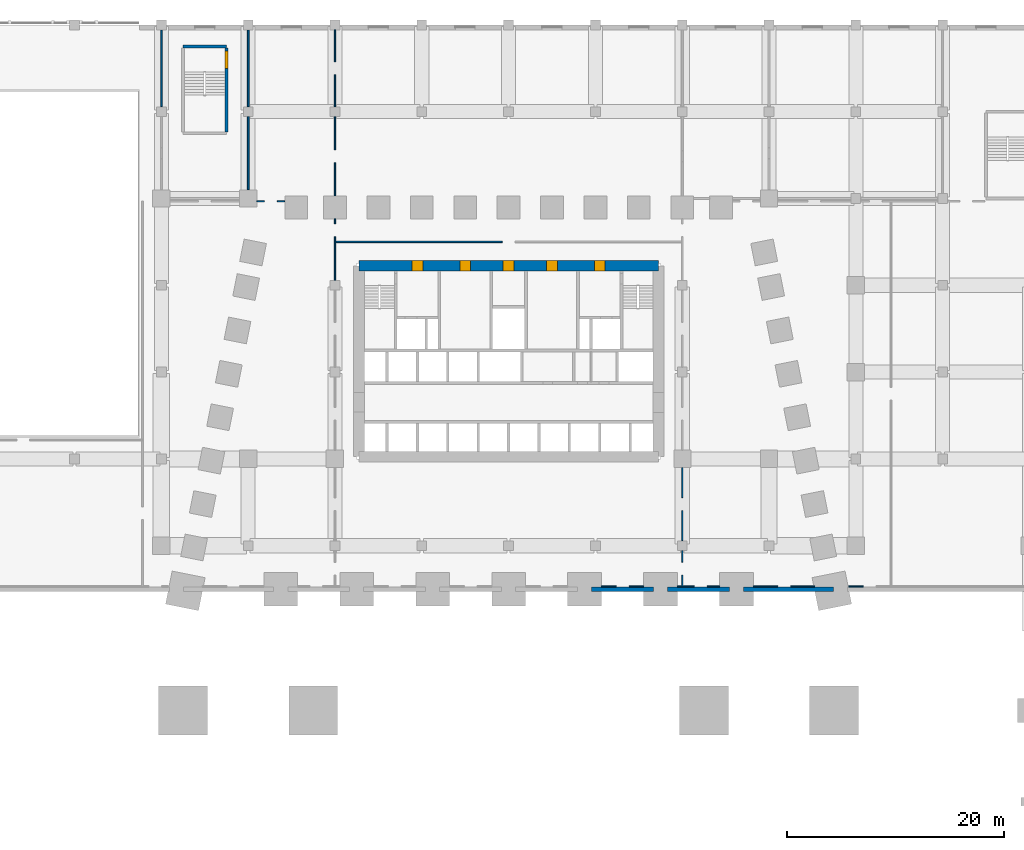
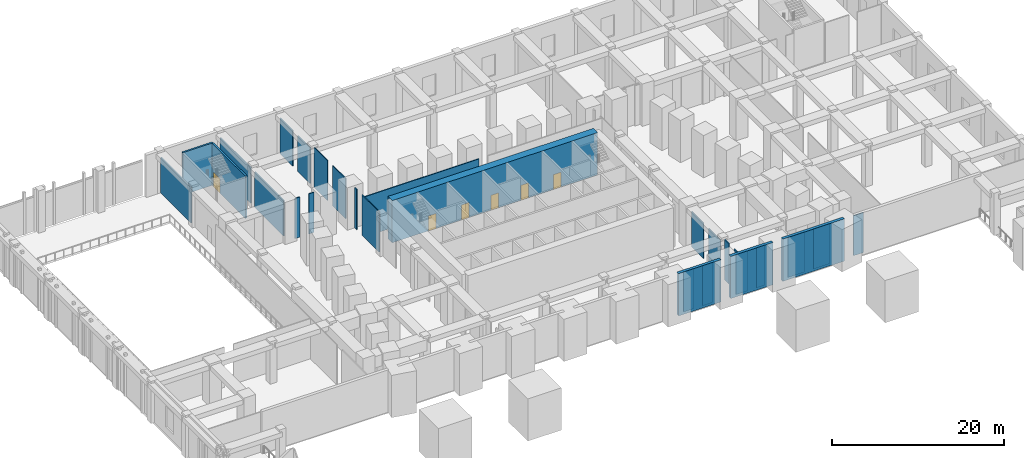
# One storey, part 11 of 25: 29 walls, 6 doors, 6 openings.
"""IFC4 building model written with IfcOpenShell, lengths in metres."""

from ifc_helpers import new_model, si_unit, direction, frame, frame_2d, origin, place, context, subcontext, project, spatial, rectangle, extrude, material, layer, layer_set, type_object, element, fill, save


model = new_model("IFC4")

# Units and contexts
model_context = context("Model", 3, precision=1e-05, world=origin(), true_north=direction((0.0, 1.0)))
body_context = subcontext(model_context, "Body", "Model", "MODEL_VIEW")
ifc_project = project(units=[si_unit("LENGTHUNIT", "METRE"), si_unit("AREAUNIT", "SQUARE_METRE"), si_unit("VOLUMEUNIT", "CUBIC_METRE"), si_unit("PLANEANGLEUNIT", "RADIAN"), si_unit("MASSUNIT", "GRAM", prefix="KILO")], contexts=[model_context])

# Site, building, storey
site_placement = place(None, origin())
site = spatial("IfcSite", under=ifc_project, at=site_placement, CompositionType="ELEMENT")
building_placement = place(site_placement, origin())
building = spatial("IfcBuilding", under=site, at=building_placement, Name="Isbrekke Arena Tower", CompositionType="ELEMENT")
storey_placement = place(building_placement, frame((0.0, 0.0, 6.0)))
storey = spatial("IfcBuildingStorey", under=building, at=storey_placement, Name="L01", CompositionType="ELEMENT", Elevation=6.0)

# Walls
ifc_material_1 = material(Name="Concrete B45 (C45/55)", Category="concrete")
ifc_layer_1 = layer(ifc_material_1, 0.39990234375)
ifc_layer_set_1 = layer_set([ifc_layer_1], Name="AW1 ARENA WALL 400")
wall_type_1 = type_object("IfcWallType", Name="AW1 ARENA WALL 400", PredefinedType="SHEAR", material=ifc_layer_set_1)
for number, where, z_axis, x_axis, name in (
    (1, (7.64990234375, -6.0, 0.0), (0.0, 0.0, 1.0), (1.0, 0.0, 0.0), "Arena north wall 7"),
    (2, (14.64990234375, -6.0, 0.0), (0.0, 0.0, 1.0), (1.0, 0.0, 0.0), "Arena north wall 8"),
):
    element("IfcWall", number, at=place(storey_placement, frame(where, z_axis=z_axis, x_axis=x_axis)), inside=storey, type_object=wall_type_1, Name=name, PredefinedType="SHEAR", context=body_context, shape_type="SweptSolid", body=[
        extrude(rectangle(XDim=5.7001953125, YDim=0.39990234375, at=frame_2d((2.85009765625, 0.0))), origin(), (0.0, 0.0, 1.0), 6.0),
    ])
wall_1_placement = place(storey_placement, frame((21.64990234375, -6.0, 0.0), z_axis=(0.0, 0.0, 1.0), x_axis=(1.0, 0.0, 0.0)))
element("IfcWall", 3, at=wall_1_placement, inside=storey, type_object=wall_type_1, Name="Arena north wall 9", PredefinedType="SHEAR", context=body_context, shape_type="SweptSolid", body=[
    extrude(rectangle(XDim=8.300048828125, YDim=0.39990234375, at=frame_2d((4.14990234375, 0.0))), origin(), (0.0, 0.0, 1.0), 6.0),
])

# Wall, openings, doors
ifc_material_2 = material(Name="Concrete B65 (C65/80)", Category="concrete")
ifc_layer_2 = layer(ifc_material_2, 1.0)
ifc_layer_set_2 = layer_set([ifc_layer_2], Name="CW1 CORE WALL 1000")
wall_type_2 = type_object("IfcWallType", Name="CW1 CORE WALL 1000", PredefinedType="SHEAR", material=ifc_layer_set_2)
wall_2_placement = place(storey_placement, frame((13.800048828125, 23.800048828125, 0.0), z_axis=(0.0, 0.0, 1.0), x_axis=(-1.0, 0.0, 0.0)))
wall_2 = element("IfcWall", 4, at=wall_2_placement, inside=storey, type_object=wall_type_2, Name="Core wall N L01", PredefinedType="SHEAR", context=body_context, shape_type="SweptSolid", body=[
    extrude(rectangle(XDim=27.60009765625, YDim=1.0, at=frame_2d((13.800048828125, 0.0))), origin(), (0.0, 0.0, 1.0), 6.0),
])
opening_1_placement = place(wall_2_placement, frame((21.699951171875, 0.0, 0.0)))
opening_1 = element("IfcOpeningElement", 5, at=opening_1_placement, cuts=wall_2, Name="Opening D3", PredefinedType="OPENING", context=body_context, shape_type="SweptSolid", body=[
    extrude(rectangle(XDim=1.0, YDim=2.10009765625, at=frame_2d((0.5, 1.050048828125))), frame((0.0, 0.514892578125, 0.0), z_axis=(0.0, -1.0, 0.0), x_axis=(1.0, 0.0, 0.0)), (0.0, 0.0, 1.0), 1.02978515625),
])
opening_2_placement = place(wall_2_placement, frame((4.89990234375, 0.0, 0.0)))
opening_2 = element("IfcOpeningElement", 6, at=opening_2_placement, cuts=wall_2, Name="Opening D3", PredefinedType="OPENING", context=body_context, shape_type="SweptSolid", body=[
    extrude(rectangle(XDim=1.0, YDim=2.10009765625, at=frame_2d((0.5, 1.050048828125))), frame((0.0, 0.514892578125, 0.0), z_axis=(0.0, -1.0, 0.0), x_axis=(1.0, 0.0, 0.0)), (0.0, 0.0, 1.0), 1.02978515625),
])
opening_3_placement = place(wall_2_placement, frame((17.300048828125, 0.0, 0.0)))
opening_3 = element("IfcOpeningElement", 7, at=opening_3_placement, cuts=wall_2, Name="Opening D4", PredefinedType="OPENING", context=body_context, shape_type="SweptSolid", body=[
    extrude(rectangle(XDim=1.0, YDim=2.10009765625, at=frame_2d((0.5, 1.050048828125))), frame((0.0, 0.514892578125, 0.0), z_axis=(0.0, -1.0, 0.0), x_axis=(1.0, 0.0, 0.0)), (0.0, 0.0, 1.0), 1.02978515625),
])
opening_4_placement = place(wall_2_placement, frame((13.300048828125, 0.0, 0.0)))
opening_4 = element("IfcOpeningElement", 8, at=opening_4_placement, cuts=wall_2, Name="Opening D4", PredefinedType="OPENING", context=body_context, shape_type="SweptSolid", body=[
    extrude(rectangle(XDim=1.0, YDim=2.10009765625, at=frame_2d((0.5, 1.050048828125))), frame((0.0, 0.514892578125, 0.0), z_axis=(0.0, -1.0, 0.0), x_axis=(1.0, 0.0, 0.0)), (0.0, 0.0, 1.0), 1.02978515625),
])
opening_5_placement = place(wall_2_placement, frame((9.300048828125, 0.0, 0.0)))
opening_5 = element("IfcOpeningElement", 9, at=opening_5_placement, cuts=wall_2, Name="Opening D4", PredefinedType="OPENING", context=body_context, shape_type="SweptSolid", body=[
    extrude(rectangle(XDim=1.0, YDim=2.10009765625, at=frame_2d((0.5, 1.050048828125))), frame((0.0, 0.514892578125, 0.0), z_axis=(0.0, -1.0, 0.0), x_axis=(1.0, 0.0, 0.0)), (0.0, 0.0, 1.0), 1.02978515625),
])
ifc_material_3 = material(Name="Steel fire door", Category="steel")
door_type_1 = type_object("IfcDoorType", Name="D3 FIRE LOBBY DOOR 1000 x 2100", OperationType="SINGLE_SWING_RIGHT", PredefinedType="DOOR", material=ifc_material_3)
door_1_placement = place(opening_1_placement, origin())
door_1 = element("IfcDoor", 10, at=door_1_placement, inside=storey, type_object=door_type_1, Name="D3 fire-fighting lobby door L01", OperationType="SINGLE_SWING_RIGHT", OverallHeight=2.10009765625, OverallWidth=1.0, PredefinedType="DOOR", context=body_context, shape_type="SweptSolid", body=[
    extrude(rectangle(XDim=1.0, YDim=2.10009765625, at=frame_2d((0.5, 1.050048828125))), frame((0.0, 0.499755859375, 0.0), z_axis=(0.0, -1.0, 0.0), x_axis=(1.0, 0.0, 0.0)), (0.0, 0.0, 1.0), 0.99951171875),
])
fill(opening_1, door_1)
door_2_placement = place(opening_2_placement, origin())
door_2 = element("IfcDoor", 11, at=door_2_placement, inside=storey, type_object=door_type_1, Name="D3 fire-fighting lobby door L01", OperationType="SINGLE_SWING_RIGHT", OverallHeight=2.10009765625, OverallWidth=1.0, PredefinedType="DOOR", context=body_context, shape_type="SweptSolid", body=[
    extrude(rectangle(XDim=1.0, YDim=2.10009765625, at=frame_2d((0.5, 1.050048828125))), frame((0.0, 0.499755859375, 0.0), z_axis=(0.0, -1.0, 0.0), x_axis=(1.0, 0.0, 0.0)), (0.0, 0.0, 1.0), 0.99951171875),
])
fill(opening_2, door_2)
ifc_material_4 = material(Name="Timber door", Category="wood")
door_type_2 = type_object("IfcDoorType", Name="D4 WC DOOR 1000 x 2100", OperationType="SINGLE_SWING_LEFT", PredefinedType="DOOR", material=ifc_material_4)
door_3_placement = place(opening_3_placement, origin())
door_3 = element("IfcDoor", 12, at=door_3_placement, inside=storey, type_object=door_type_2, Name="D4 wc female door L01", OperationType="SINGLE_SWING_LEFT", OverallHeight=2.10009765625, OverallWidth=1.0, PredefinedType="DOOR", context=body_context, shape_type="SweptSolid", body=[
    extrude(rectangle(XDim=1.0, YDim=2.10009765625, at=frame_2d((0.5, 1.050048828125))), frame((0.0, 0.499755859375, 0.0), z_axis=(0.0, -1.0, 0.0), x_axis=(1.0, 0.0, 0.0)), (0.0, 0.0, 1.0), 0.99951171875),
])
fill(opening_3, door_3)
door_4_placement = place(opening_4_placement, origin())
door_4 = element("IfcDoor", 13, at=door_4_placement, inside=storey, type_object=door_type_2, Name="D4 accessible wc door L01", OperationType="SINGLE_SWING_LEFT", OverallHeight=2.10009765625, OverallWidth=1.0, PredefinedType="DOOR", context=body_context, shape_type="SweptSolid", body=[
    extrude(rectangle(XDim=1.0, YDim=2.10009765625, at=frame_2d((0.5, 1.050048828125))), frame((0.0, 0.499755859375, 0.0), z_axis=(0.0, -1.0, 0.0), x_axis=(1.0, 0.0, 0.0)), (0.0, 0.0, 1.0), 0.99951171875),
])
fill(opening_4, door_4)
door_5_placement = place(opening_5_placement, origin())
door_5 = element("IfcDoor", 14, at=door_5_placement, inside=storey, type_object=door_type_2, Name="D4 wc male door L01", OperationType="SINGLE_SWING_LEFT", OverallHeight=2.10009765625, OverallWidth=1.0, PredefinedType="DOOR", context=body_context, shape_type="SweptSolid", body=[
    extrude(rectangle(XDim=1.0, YDim=2.10009765625, at=frame_2d((0.5, 1.050048828125))), frame((0.0, 0.499755859375, 0.0), z_axis=(0.0, -1.0, 0.0), x_axis=(1.0, 0.0, 0.0)), (0.0, 0.0, 1.0), 0.99951171875),
])
fill(opening_5, door_5)

# Walls
ifc_material_5 = material(Name="Gypsum board partition on steel studs", Category="steel")
ifc_layer_3 = layer(ifc_material_5, 0.14990234375)
ifc_layer_set_3 = layer_set([ifc_layer_3], Name="IW1 PARTITION 150")
wall_type_3 = type_object("IfcWallType", Name="IW1 PARTITION 150", PredefinedType="PARTITIONING", material=ifc_layer_set_3)
wall_3_placement = place(storey_placement, frame((-32.0, 38.4599609375, 0.0), z_axis=(0.0, 0.0, 1.0), x_axis=(0.0, 1.0, 0.0)))
element("IfcWall", 15, at=wall_3_placement, inside=storey, type_object=wall_type_3, Name="IW1 partition L01", PredefinedType="PARTITIONING", context=body_context, shape_type="SweptSolid", body=[
    extrude(rectangle(XDim=7.080078125, YDim=0.14990234375, at=frame_2d((3.5400390625, 0.0))), origin(), (0.0, 0.0, 1.0), 5.050048828125),
])
wall_4_placement = place(storey_placement, frame((-24.0, 30.81005859375, 0.0), z_axis=(0.0, 0.0, 1.0), x_axis=(0.0, 1.0, 0.0)))
element("IfcWall", 16, at=wall_4_placement, inside=storey, type_object=wall_type_3, Name="IW1 partition L01", PredefinedType="PARTITIONING", context=body_context, shape_type="SweptSolid", body=[
    extrude(rectangle(XDim=6.72998046875, YDim=0.14990234375, at=frame_2d((3.364990234375, 0.0))), origin(), (0.0, 0.0, 1.0), 5.050048828125),
])
wall_5_placement = place(storey_placement, frame((-24.0, 38.4599609375, 0.0), z_axis=(0.0, 0.0, 1.0), x_axis=(0.0, 1.0, 0.0)))
element("IfcWall", 17, at=wall_5_placement, inside=storey, type_object=wall_type_3, Name="IW1 partition L01", PredefinedType="PARTITIONING", context=body_context, shape_type="SweptSolid", body=[
    extrude(rectangle(XDim=7.080078125, YDim=0.14990234375, at=frame_2d((3.5400390625, 0.0))), origin(), (0.0, 0.0, 1.0), 5.050048828125),
])
ifc_material_6 = material(Name="Frameless glazed partition, laminated acoustic glass", Category="glass")
ifc_layer_4 = layer(ifc_material_6, 0.1201171875)
ifc_layer_set_4 = layer_set([ifc_layer_4], Name="IW2 GLAZED PARTITION 120")
wall_type_4 = type_object("IfcWallType", Name="IW2 GLAZED PARTITION 120", PredefinedType="PARTITIONING", material=ifc_layer_set_4)
wall_6_placement = place(storey_placement, frame((-16.0, 22.4599609375, 0.0), z_axis=(0.0, 0.0, 1.0), x_axis=(0.0, 1.0, 0.0)))
element("IfcWall", 18, at=wall_6_placement, inside=storey, type_object=wall_type_4, Name="IW2 glazed partition L01", PredefinedType="PARTITIONING", context=body_context, shape_type="SweptSolid", body=[
    extrude(rectangle(XDim=3.99755859375, YDim=0.1201171875, at=frame_2d((1.998779296875, 0.0))), origin(), (0.0, 0.0, 1.0), 5.699951171875),
])
wall_7_placement = place(storey_placement, frame((-16.0, 27.657470703125, 0.0), z_axis=(0.0, 0.0, 1.0), x_axis=(0.0, 1.0, 0.0)))
element("IfcWall", 19, at=wall_7_placement, inside=storey, type_object=wall_type_4, Name="IW2 glazed partition L01", PredefinedType="PARTITIONING", context=body_context, shape_type="SweptSolid", body=[
    extrude(rectangle(XDim=0.45751953125, YDim=0.1201171875, at=frame_2d((0.228759765625, 0.0))), origin(), (0.0, 0.0, 1.0), 5.699951171875),
])
for number, where, z_axis, x_axis, name in (
    (20, (-16.0, 30.235107421875, 0.0), (0.0, 0.0, 1.0), (0.0, 1.0, 0.0), "IW2 glazed partition L01"),
    (21, (-16.0, 34.487548828125, 0.0), (0.0, 0.0, 1.0), (0.0, 1.0, 0.0), "IW2 glazed partition L01"),
):
    element("IfcWall", number, at=place(storey_placement, frame(where, z_axis=z_axis, x_axis=x_axis)), inside=storey, type_object=wall_type_4, Name=name, PredefinedType="PARTITIONING", context=body_context, shape_type="SweptSolid", body=[
        extrude(rectangle(XDim=3.052490234375, YDim=0.1201171875, at=frame_2d((1.5263671875, 0.0))), origin(), (0.0, 0.0, 1.0), 5.699951171875),
    ])
for number, where, z_axis, x_axis, name in (
    (22, (-16.0, 38.4599609375, 0.0), (0.0, 0.0, 1.0), (0.0, 1.0, 0.0), "IW2 glazed partition L01"),
    (23, (-16.0, 42.60009765625, 0.0), (0.0, 0.0, 1.0), (0.0, 1.0, 0.0), "IW2 glazed partition L01"),
):
    element("IfcWall", number, at=place(storey_placement, frame(where, z_axis=z_axis, x_axis=x_axis)), inside=storey, type_object=wall_type_4, Name=name, PredefinedType="PARTITIONING", context=body_context, shape_type="SweptSolid", body=[
        extrude(rectangle(XDim=2.93994140625, YDim=0.1201171875, at=frame_2d((1.469970703125, 0.0))), origin(), (0.0, 0.0, 1.0), 5.050048828125),
    ])
for number, where, z_axis, x_axis, name in (
    (24, (16.0, -5.75, 0.0), (0.0, 0.0, 1.0), (0.0, 1.0, 0.0), "IW2 glazed partition L01"),
    (25, (16.0, -3.5048828125, 0.0), (0.0, 0.0, 1.0), (0.0, 1.0, 0.0), "IW2 glazed partition L01"),
):
    element("IfcWall", number, at=place(storey_placement, frame(where, z_axis=z_axis, x_axis=x_axis)), inside=storey, type_object=wall_type_4, Name=name, PredefinedType="PARTITIONING", context=body_context, shape_type="SweptSolid", body=[
        extrude(rectangle(XDim=1.044921875, YDim=0.1201171875, at=frame_2d((0.5224609375, 0.0))), origin(), (0.0, 0.0, 1.0), 5.699951171875),
    ])
wall_8_placement = place(storey_placement, frame((16.0, -1.5400390625, 0.0), z_axis=(0.0, 0.0, 1.0), x_axis=(0.0, 1.0, 0.0)))
element("IfcWall", 26, at=wall_8_placement, inside=storey, type_object=wall_type_4, Name="IW2 glazed partition L01", PredefinedType="PARTITIONING", context=body_context, shape_type="SweptSolid", body=[
    extrude(rectangle(XDim=2.76513671875, YDim=0.1201171875, at=frame_2d((1.382568359375, 0.0))), origin(), (0.0, 0.0, 1.0), 5.050048828125),
])
wall_9_placement = place(storey_placement, frame((16.0, 2.425048828125, 0.0), z_axis=(0.0, 0.0, 1.0), x_axis=(0.0, 1.0, 0.0)))
element("IfcWall", 27, at=wall_9_placement, inside=storey, type_object=wall_type_4, Name="IW2 glazed partition L01", PredefinedType="PARTITIONING", context=body_context, shape_type="SweptSolid", body=[
    extrude(rectangle(XDim=2.764892578125, YDim=0.1201171875, at=frame_2d((1.38232421875, 0.0))), origin(), (0.0, 0.0, 1.0), 5.050048828125),
])
for number, where, z_axis, x_axis, name in (
    (28, (8.56005859375, -5.75, 0.0), (0.0, 0.0, 1.0), (1.0, 0.0, 0.0), "IW2 glazed partition L01"),
    (29, (11.10009765625, -5.75, 0.0), (0.0, 0.0, 1.0), (1.0, 0.0, 0.0), "IW2 glazed partition L01"),
):
    element("IfcWall", number, at=place(storey_placement, frame(where, z_axis=z_axis, x_axis=x_axis)), inside=storey, type_object=wall_type_4, Name=name, PredefinedType="PARTITIONING", context=body_context, shape_type="SweptSolid", body=[
        extrude(rectangle(XDim=1.33984375, YDim=0.1201171875, at=frame_2d((0.669921875, 0.0))), origin(), (0.0, 0.0, 1.0), 5.699951171875),
    ])
wall_10_placement = place(storey_placement, frame((15.56005859375, -5.75, 0.0), z_axis=(0.0, 0.0, 1.0), x_axis=(1.0, 0.0, 0.0)))
element("IfcWall", 30, at=wall_10_placement, inside=storey, type_object=wall_type_4, Name="IW2 glazed partition L01", PredefinedType="PARTITIONING", context=body_context, shape_type="SweptSolid", body=[
    extrude(rectangle(XDim=1.56005859375, YDim=0.1201171875, at=frame_2d((0.780029296875, 0.0))), origin(), (0.0, 0.0, 1.0), 5.699951171875),
])
wall_11_placement = place(storey_placement, frame((18.320068359375, -5.75, 0.0), z_axis=(0.0, 0.0, 1.0), x_axis=(1.0, 0.0, 0.0)))
element("IfcWall", 31, at=wall_11_placement, inside=storey, type_object=wall_type_4, Name="IW2 glazed partition L01", PredefinedType="PARTITIONING", context=body_context, shape_type="SweptSolid", body=[
    extrude(rectangle(XDim=1.119873046875, YDim=0.1201171875, at=frame_2d((0.56005859375, 0.0))), origin(), (0.0, 0.0, 1.0), 5.699951171875),
])
for number, where, z_axis, x_axis, name in (
    (32, (22.56005859375, -5.75, 0.0), (0.0, 0.0, 1.0), (1.0, 0.0, 0.0), "IW2 glazed partition L01"),
    (33, (25.99560546875, -5.75, 0.0), (0.0, 0.0, 1.0), (1.0, 0.0, 0.0), "IW2 glazed partition L01"),
):
    element("IfcWall", number, at=place(storey_placement, frame(where, z_axis=z_axis, x_axis=x_axis)), inside=storey, type_object=wall_type_4, Name=name, PredefinedType="PARTITIONING", context=body_context, shape_type="SweptSolid", body=[
        extrude(rectangle(XDim=2.2353515625, YDim=0.1201171875, at=frame_2d((1.11767578125, 0.0))), origin(), (0.0, 0.0, 1.0), 5.699951171875),
    ])
wall_12_placement = place(storey_placement, frame((31.35107421875, -5.75, 0.0), z_axis=(0.0, 0.0, 1.0), x_axis=(1.0, 0.0, 0.0)))
element("IfcWall", 34, at=wall_12_placement, inside=storey, type_object=wall_type_4, Name="IW2 glazed partition L01", PredefinedType="PARTITIONING", context=body_context, shape_type="SweptSolid", body=[
    extrude(rectangle(XDim=1.349365234375, YDim=0.1201171875, at=frame_2d((0.6748046875, 0.0))), origin(), (0.0, 0.0, 1.0), 5.699951171875),
])
wall_13_placement = place(storey_placement, frame((-16.0, 26.0, 0.0), z_axis=(0.0, 0.0, 1.0), x_axis=(1.0, 0.0, 0.0)))
element("IfcWall", 35, at=wall_13_placement, inside=storey, type_object=wall_type_4, Name="IW2 glazed partition L01", PredefinedType="PARTITIONING", context=body_context, shape_type="SweptSolid", body=[
    extrude(rectangle(XDim=15.39990234375, YDim=0.1201171875, at=frame_2d((7.699951171875, 0.0))), origin(), (0.0, 0.0, 1.0), 5.699951171875),
])
for number, where, z_axis, x_axis, name in (
    (36, (-23.18994140625, 29.75, 0.0), (0.0, 0.0, 1.0), (1.0, 0.0, 0.0), "IW2 glazed partition L01"),
    (37, (-21.3125, 29.75, 0.0), (0.0, 0.0, 1.0), (1.0, 0.0, 0.0), "IW2 glazed partition L01"),
):
    element("IfcWall", number, at=place(storey_placement, frame(where, z_axis=z_axis, x_axis=x_axis)), inside=storey, type_object=wall_type_4, Name=name, PredefinedType="PARTITIONING", context=body_context, shape_type="SweptSolid", body=[
        extrude(rectangle(XDim=0.677490234375, YDim=0.1201171875, at=frame_2d((0.3388671875, 0.0))), origin(), (0.0, 0.0, 1.0), 5.699951171875),
    ])
ifc_material_7 = material(Name="Concrete B45 (C45/55)", Category="concrete")
ifc_layer_5 = layer(ifc_material_7, 0.25)
ifc_layer_set_5 = layer_set([ifc_layer_5], Name="SW1 STAIR ENCLOSURE WALL 250")
wall_type_5 = type_object("IfcWallType", Name="SW1 STAIR ENCLOSURE WALL 250", PredefinedType="SOLIDWALL", material=ifc_layer_set_5)
wall_14_placement = place(storey_placement, frame((-26.0, 44.0, 0.0), z_axis=(0.0, 0.0, 1.0), x_axis=(-1.0, 0.0, 0.0)))
element("IfcWall", 38, at=wall_14_placement, inside=storey, type_object=wall_type_5, Name="SW1 stair wall P2 N L01", PredefinedType="SOLIDWALL", context=body_context, shape_type="SweptSolid", body=[
    extrude(rectangle(XDim=4.0, YDim=0.25, at=frame_2d((2.0, 0.0))), origin(), (0.0, 0.0, 1.0), 6.0),
])

# Wall, opening, door
wall_15_placement = place(storey_placement, frame((-26.0, 36.125, 0.0), z_axis=(0.0, 0.0, 1.0), x_axis=(0.0, 1.0, 0.0)))
wall_15 = element("IfcWall", 39, at=wall_15_placement, inside=storey, type_object=wall_type_5, Name="SW1 stair wall P2 E L01", PredefinedType="SOLIDWALL", context=body_context, shape_type="SweptSolid", body=[
    extrude(rectangle(XDim=7.75, YDim=0.25, at=frame_2d((3.875, 0.0))), origin(), (0.0, 0.0, 1.0), 6.0),
])
opening_6_placement = place(wall_15_placement, frame((5.85009765625, 0.0, 0.0)))
opening_6 = element("IfcOpeningElement", 40, at=opening_6_placement, cuts=wall_15, Name="Opening D7", PredefinedType="OPENING", context=body_context, shape_type="SweptSolid", body=[
    extrude(rectangle(XDim=1.60009765625, YDim=2.10009765625, at=frame_2d((0.800048828125, 1.050048828125))), frame((0.0, 0.139892578125, 0.0), z_axis=(0.0, -1.0, 0.0), x_axis=(1.0, 0.0, 0.0)), (0.0, 0.0, 1.0), 0.27978515625),
])
ifc_material_8 = material(Name="Steel fire door", Category="steel")
door_type_3 = type_object("IfcDoorType", Name="D7 PODIUM STAIR DOOR 1600 x 2100", OperationType="DOUBLE_DOOR_SINGLE_SWING", PredefinedType="DOOR", material=ifc_material_8)
door_6_placement = place(opening_6_placement, origin())
door_6 = element("IfcDoor", 41, at=door_6_placement, inside=storey, type_object=door_type_3, Name="D7 stair door P2 L01", OperationType="DOUBLE_DOOR_SINGLE_SWING", OverallHeight=2.10009765625, OverallWidth=1.60009765625, PredefinedType="DOOR", context=body_context, shape_type="SweptSolid", body=[
    extrude(rectangle(XDim=1.60009765625, YDim=2.10009765625, at=frame_2d((0.800048828125, 1.050048828125))), frame((0.0, 0.124755859375, 0.0), z_axis=(0.0, -1.0, 0.0), x_axis=(1.0, 0.0, 0.0)), (0.0, 0.0, 1.0), 0.24951171875),
])
fill(opening_6, door_6)

save(model, "model.ifc")
